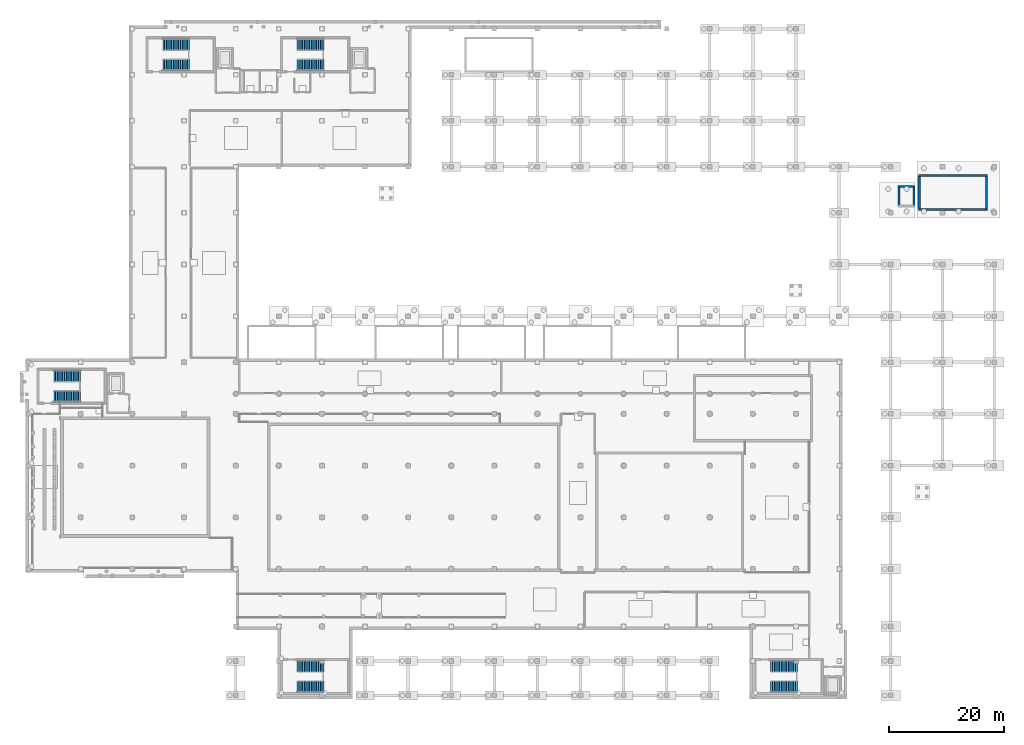
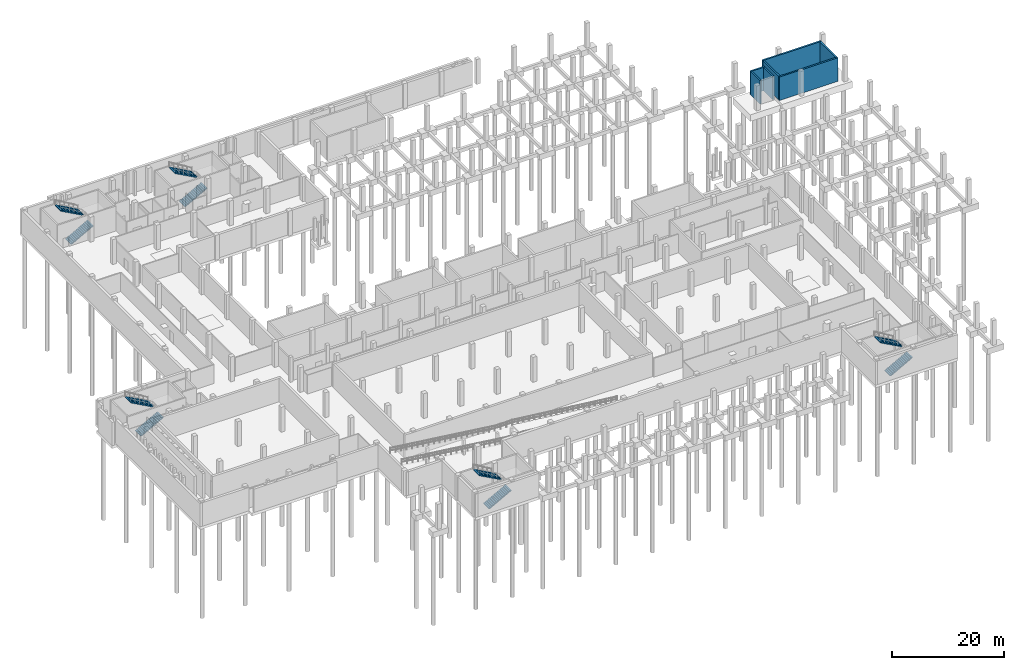
# One storey, part 16 of 19: 10 stair flights, 7 walls, 5 elements without a shape of their own.
"""IFC4 building model written with IfcOpenShell, lengths in metres."""

import ifcopenshell
import ifcopenshell.guid

model = None  # the IFC model being written
_history = None  # IfcOwnerHistory: only IFC2X3 demands one
_inside = {}  # id of a spatial element -> (the spatial element, [elements in it])
_under = {}  # id of a project, library or spatial element -> (it, [spatial elements below it])
_declared = {}  # id of a project -> (the project, [libraries it declares])
_typed = {}  # id of a type object -> (the type object, [elements of that type])
_made_of = {}  # id of a material, layer set ... -> (it, [elements and type objects made of it])


def new_model(schema):
    """Start an empty IFC model of exactly this schema.

    Asked for "IFC4X3", IfcOpenShell would pick the latest addendum, in which some entities
    have other attributes; the version numbers below select the first issue.
    IFC2X3 requires an IfcOwnerHistory on every rooted entity: one is made here for all.
    """
    global model, _history
    if schema == "IFC4X3":
        model = ifcopenshell.file(schema_version=(4, 3, 0, 0))
    else:
        model = ifcopenshell.file(schema=schema)
    _inside.clear()
    _under.clear()
    _declared.clear()
    _typed.clear()
    _made_of.clear()
    _history = None
    if model.schema == "IFC2X3":
        org = make("IfcOrganization", Name="unknown")
        user = make(
            "IfcPersonAndOrganization",
            ThePerson=make("IfcPerson", FamilyName="unknown"),
            TheOrganization=org,
        )
        app = make(
            "IfcApplication",
            ApplicationDeveloper=org,
            Version="unknown",
            ApplicationFullName="unknown",
            ApplicationIdentifier="unknown",
        )
        _history = make(
            "IfcOwnerHistory",
            OwningUser=user,
            OwningApplication=app,
            ChangeAction="ADDED",
            CreationDate=0,
        )
    return model


def make(cls, **values):
    """One entity of the class cls with the attributes given. An attribute that is None is left unset."""
    return model.create_entity(
        cls, **{name: value for name, value in values.items() if value is not None}
    )


def rooted(cls, **values):
    """An entity with a GlobalId (a new one), such as an element, a storey or a relation."""
    return make(cls, GlobalId=ifcopenshell.guid.new(), OwnerHistory=_history, **values)


def si_unit(unit_type, name, prefix=None):
    """IfcSIUnit, for example si_unit("LENGTHUNIT", "METRE", prefix="MILLI")."""
    return make("IfcSIUnit", UnitType=unit_type, Prefix=prefix, Name=name)


def assignment(units):
    """IfcUnitAssignment: the units of a project."""
    return None if units is None else make("IfcUnitAssignment", Units=units)


def point(xyz):
    """IfcCartesianPoint."""
    return None if xyz is None else make("IfcCartesianPoint", Coordinates=xyz)


def direction(xyz):
    """IfcDirection."""
    return None if xyz is None else make("IfcDirection", DirectionRatios=xyz)


def frame(location, z_axis=None, x_axis=None):
    """IfcAxis2Placement3D, a coordinate frame: its origin and axes. An axis left out is left unset."""
    return make(
        "IfcAxis2Placement3D",
        Location=point(location),
        Axis=direction(z_axis),
        RefDirection=direction(x_axis),
    )


def frame_2d(location, x_axis=None):
    """IfcAxis2Placement2D, a coordinate frame in the plane: its origin and x axis."""
    return make(
        "IfcAxis2Placement2D", Location=point(location), RefDirection=direction(x_axis)
    )


def origin():
    """The frame at (0, 0, 0) with its axes left unset."""
    return frame((0.0, 0.0, 0.0))


def place(relative_to, where):
    """IfcLocalPlacement: puts the frame where relative to a parent placement (None: the world)."""
    return make(
        "IfcLocalPlacement", PlacementRelTo=relative_to, RelativePlacement=where
    )


def context(
    kind, dimensions, precision=None, world=None, true_north=None, identifier=None
):
    """IfcGeometricRepresentationContext, for example the 3D "Model" context."""
    return make(
        "IfcGeometricRepresentationContext",
        ContextIdentifier=identifier,
        ContextType=kind,
        CoordinateSpaceDimension=dimensions,
        Precision=precision,
        WorldCoordinateSystem=world,
        TrueNorth=true_north,
    )


def subcontext(parent, identifier, kind, view, scale=None):
    """IfcGeometricRepresentationSubContext, for example "Body" below "Model"."""
    return make(
        "IfcGeometricRepresentationSubContext",
        ContextIdentifier=identifier,
        ContextType=kind,
        ParentContext=parent,
        TargetScale=scale,
        TargetView=view,
    )


def project(units=None, contexts=None):
    """IfcProject with its units and contexts."""
    return rooted(
        "IfcProject",
        Name="project",
        RepresentationContexts=contexts,
        UnitsInContext=assignment(units),
    )


def spatial(cls, under=None, at=None, **own):
    """A site, building, storey or space (cls), placed at a placement, below another one or the project."""
    s = rooted(cls, ObjectPlacement=at, **own)
    if under is not None:
        _under.setdefault(under.id(), (under, []))[1].append(s)
    return s


def polyline(points):
    """IfcPolyline through the points."""
    return make("IfcPolyline", Points=[point(p) for p in points])


def profile(cls, at=None, kind="AREA", **sizes):
    """A parametric profile (cls). Its sizes go by their IFC names, for example OverallWidth=200.0."""
    return make(cls, ProfileType=kind, Position=at, **sizes)


def rectangle(**sizes):
    """IfcRectangleProfileDef."""
    return profile("IfcRectangleProfileDef", **sizes)


def outline(outer, holes=None, kind="AREA"):
    """IfcArbitraryClosedProfileDef: a profile drawn as a closed curve; with holes, ...WithVoids."""
    if holes is None:
        return make("IfcArbitraryClosedProfileDef", ProfileType=kind, OuterCurve=outer)
    return make(
        "IfcArbitraryProfileDefWithVoids",
        ProfileType=kind,
        OuterCurve=outer,
        InnerCurves=holes,
    )


def extrude(swept, where, along, depth):
    """IfcExtrudedAreaSolid: the profile swept, set in the frame where, extruded along a direction by depth."""
    return make(
        "IfcExtrudedAreaSolid",
        SweptArea=swept,
        Position=where,
        ExtrudedDirection=direction(along),
        Depth=depth,
    )


def shape(context_of_items, identifier, shape_type, items):
    """IfcShapeRepresentation: the items that make up one representation, for example the "Body"."""
    return make(
        "IfcShapeRepresentation",
        ContextOfItems=context_of_items,
        RepresentationIdentifier=identifier,
        RepresentationType=shape_type,
        Items=items,
    )


def material(Name=None, Category=None):
    """IfcMaterial."""
    return make("IfcMaterial", Name=Name, Category=Category)


def layer(
    of_material, thickness, ventilated=None, Name=None, Category=None, Priority=None
):
    """IfcMaterialLayer: one layer of a wall or slab, of a material (None: an air gap)."""
    return make(
        "IfcMaterialLayer",
        Material=of_material,
        LayerThickness=thickness,
        IsVentilated=ventilated,
        Name=Name,
        Category=Category,
        Priority=Priority,
    )


def layer_set(layers, Name=None):
    """IfcMaterialLayerSet."""
    return make("IfcMaterialLayerSet", MaterialLayers=layers, LayerSetName=Name)


def made_of(thing, what):
    """Note that an element or type object is made of a material, layer set ...; save() writes the relation."""
    if what is not None:
        _made_of.setdefault(what.id(), (what, []))[1].append(thing)
    return thing


def type_object(cls, material=None, **own):
    """A type object (cls), such as IfcWallType, which elements share."""
    return made_of(rooted(cls, **own), material)


def element(
    cls,
    number,
    at=None,
    inside=None,
    cuts=None,
    type_object=None,
    material=None,
    context=None,
    identifier="Body",
    shape_type=None,
    held_by="IfcProductDefinitionShape",
    body=None,
    shapes=None,
    **own,
):
    """One element of the class cls, such as IfcWall. Its Tag is "e" and its number.

    at: its placement. inside: the storey or other place that contains it. cuts: it is an
    opening in that element (IfcRelVoidsElement). A single representation is given by context,
    identifier, shape_type and body (its items); several are given by shapes. held_by: the class
    of the entity that holds the representations. save() writes the other relations.
    """
    e = rooted(cls, Tag="e%d" % number, ObjectPlacement=at, **own)
    if body is not None:
        shapes = [shape(context, identifier, shape_type, body)]
    if shapes is not None:
        e.Representation = make(held_by, Representations=shapes)
    if inside is not None:
        _inside.setdefault(inside.id(), (inside, []))[1].append(e)
    if cuts is not None:
        rooted(
            "IfcRelVoidsElement", RelatingBuildingElement=cuts, RelatedOpeningElement=e
        )
    if type_object is not None:
        _typed.setdefault(type_object.id(), (type_object, []))[1].append(e)
    return made_of(e, material)


def aggregate(whole, parts):
    """IfcRelAggregates: a whole, such as a stair, and the parts it consists of."""
    return rooted("IfcRelAggregates", RelatingObject=whole, RelatedObjects=parts)


def save(model, path):
    """Write the relations noted so far, then the file.

    IfcRelAggregates (storeys below a building ...), IfcRelContainedInSpatialStructure (elements
    in a storey), IfcRelDefinesByType, IfcRelAssociatesMaterial and IfcRelDeclares: one each for
    every whole, place, type object, material and project.
    """
    for whole, parts in _under.values():
        aggregate(whole, parts)
    for where, things in _inside.values():
        rooted(
            "IfcRelContainedInSpatialStructure",
            RelatedElements=things,
            RelatingStructure=where,
        )
    for kind, things in _typed.values():
        rooted("IfcRelDefinesByType", RelatedObjects=things, RelatingType=kind)
    for what, things in _made_of.values():
        rooted("IfcRelAssociatesMaterial", RelatedObjects=things, RelatingMaterial=what)
    for by, libraries in _declared.values():
        rooted("IfcRelDeclares", RelatingContext=by, RelatedDefinitions=libraries)
    model.write(path)


model = new_model("IFC4")

# Units and contexts
model_context = context("Model", 3, precision=1e-05, world=origin(), true_north=direction((0.0, 1.0)))
body_context = subcontext(model_context, "Body", "Model", "MODEL_VIEW")
ifc_project = project(units=[si_unit("LENGTHUNIT", "METRE"), si_unit("AREAUNIT", "SQUARE_METRE"), si_unit("VOLUMEUNIT", "CUBIC_METRE"), si_unit("PLANEANGLEUNIT", "RADIAN"), si_unit("MASSUNIT", "GRAM", prefix="KILO")], contexts=[model_context])

# Site, building, storey
site_placement = place(None, origin())
site = spatial("IfcSite", under=ifc_project, at=site_placement, CompositionType="ELEMENT")
building_placement = place(site_placement, origin())
building = spatial("IfcBuilding", under=site, at=building_placement, Name="Vourika Railside Aquatics Centre", CompositionType="ELEMENT")
storey_placement = place(building_placement, frame((0.0, 0.0, -5.39990234375)))
storey = spatial("IfcBuildingStorey", under=building, at=storey_placement, Name="B1", CompositionType="ELEMENT", Elevation=-5.39990234375)

# Walls
ifc_material_1 = material(Name="Concrete C40/50", Category="concrete")
ifc_layer = layer(ifc_material_1, 0.35009765625, Name="WL-TANK-350")
ifc_layer_set = layer_set([ifc_layer], Name="Concrete C40/50")
wall_type = type_object("IfcWallType", Name="WL-TANK-350", PredefinedType="SOLIDWALL", material=ifc_layer_set)
for number, where, z_axis, x_axis, name in (
    (1, (154.800048828125, 84.550048828125, 0.0), (0.0, 0.0, 1.0), (1.0, 0.0, 0.0), "Substructure Core Foundation Wall ST05-S"),
    (2, (166.800048828125, 90.449951171875, 0.0), (0.0, 0.0, 1.0), (-1.0, 0.0, 0.0), "Substructure Core Foundation Wall ST05-N"),
):
    element("IfcWall", number, at=place(storey_placement, frame(where, z_axis=z_axis, x_axis=x_axis)), inside=storey, type_object=wall_type, Name=name, PredefinedType="SOLIDWALL", context=body_context, shape_type="SweptSolid", body=[
        extrude(rectangle(XDim=12.0, YDim=0.35009765625, at=frame_2d((6.0, 0.0))), origin(), (0.0, 0.0, 1.0), 5.099853515625),
    ])
for number, where, z_axis, x_axis, name in (
    (3, (154.949951171875, 90.300048828125, 0.0), (0.0, 0.0, 1.0), (0.0, -1.0, 0.0), "Substructure Core Foundation Wall ST05-W"),
    (4, (166.64990234375, 84.699951171875, 0.0), (0.0, 0.0, 1.0), (0.0, 1.0, 0.0), "Substructure Core Foundation Wall ST05-E"),
):
    element("IfcWall", number, at=place(storey_placement, frame(where, z_axis=z_axis, x_axis=x_axis)), inside=storey, type_object=wall_type, Name=name, PredefinedType="SOLIDWALL", context=body_context, shape_type="SweptSolid", body=[
        extrude(rectangle(XDim=5.60009765625, YDim=0.35009765625, at=frame_2d((2.800048828125, 0.0))), origin(), (0.0, 0.0, 1.0), 5.099853515625),
    ])
wall_placement = place(storey_placement, frame((154.14990234375, 88.60009765625, 0.0), z_axis=(0.0, 0.0, 1.0), x_axis=(-1.0, 0.0, 0.0)))
element("IfcWall", 5, at=wall_placement, inside=storey, type_object=wall_type, Name="Substructure Shaft Foundation Wall LP01-N", PredefinedType="SOLIDWALL", context=body_context, shape_type="SweptSolid", body=[
    extrude(rectangle(XDim=2.89990234375, YDim=0.35009765625, at=frame_2d((1.449951171875, 0.0))), origin(), (0.0, 0.0, 1.0), 5.099853515625),
])
for number, where, z_axis, x_axis, name in (
    (6, (151.39990234375, 88.60009765625, 0.0), (0.0, 0.0, 1.0), (0.0, -1.0, 0.0), "Substructure Shaft Foundation Wall LP01-W"),
    (7, (154.0, 85.199951171875, 0.0), (0.0, 0.0, 1.0), (0.0, 1.0, 0.0), "Substructure Shaft Foundation Wall LP01-E"),
):
    element("IfcWall", number, at=place(storey_placement, frame(where, z_axis=z_axis, x_axis=x_axis)), inside=storey, type_object=wall_type, Name=name, PredefinedType="SOLIDWALL", context=body_context, shape_type="SweptSolid", body=[
        extrude(rectangle(XDim=3.400146484375, YDim=0.35009765625, at=frame_2d((1.7001953125, 0.0))), origin(), (0.0, 0.0, 1.0), 5.099853515625),
    ])

# Stair, stair flights
ifc_material_2 = material(Name="Concrete C35/45", Category="concrete")
stair_type = type_object("IfcStairType", Name="STR-CORE-B1", PredefinedType="TWO_STRAIGHT_RUN_STAIR", material=ifc_material_2)
stair_1_placement = place(storey_placement, origin())
stair_1 = element("IfcStair", 8, at=stair_1_placement, inside=storey, type_object=stair_type, Name="Protected Exit Stair Core ST01 (B1)", PredefinedType="TWO_STRAIGHT_RUN_STAIR")
stair_flight_type = type_object("IfcStairFlightType", Name="STF-CORE-B1", PredefinedType="STRAIGHT", material=ifc_material_2)
stair_flight_1_placement = place(storey_placement, frame((23.300048828125, 109.719970703125, 0.0), z_axis=(0.0, 0.0, 1.0), x_axis=(1.0, 0.0, 0.0)))
stair_flight_1 = element("IfcStairFlight", 9, at=stair_flight_1_placement, type_object=stair_flight_type, Name="STC-B1 flight 1", NumberOfRisers=16, NumberOfTreads=15, PredefinedType="STRAIGHT", RiserHeight=0.16875, TreadLength=0.308, context=body_context, shape_type="SweptSolid", body=[
    extrude(outline(polyline([(0.0, 0.0), (0.0, 0.168701171875), (0.30810546875, 0.168701171875), (0.30810546875, 0.33740234375), (0.615966796875, 0.33740234375), (0.615966796875, 0.50634765625), (0.924072265625, 0.50634765625), (0.924072265625, 0.675048828125), (1.23193359375, 0.675048828125), (1.23193359375, 0.84375), (1.5400390625, 0.84375), (1.5400390625, 1.012451171875), (1.847900390625, 1.012451171875), (1.847900390625, 1.18115234375), (2.156005859375, 1.18115234375), (2.156005859375, 1.35009765625), (2.464111328125, 1.35009765625), (2.464111328125, 1.518798828125), (2.77197265625, 1.518798828125), (2.77197265625, 1.6875), (3.080078125, 1.6875), (3.080078125, 1.856201171875), (3.387939453125, 1.856201171875), (3.387939453125, 2.02490234375), (3.696044921875, 2.02490234375), (3.696044921875, 2.19384765625), (4.00390625, 2.19384765625), (4.00390625, 2.362548828125), (4.31201171875, 2.362548828125), (4.31201171875, 2.53125), (4.6201171875, 2.53125), (4.6201171875, 2.699951171875), (4.6201171875, 2.348876953125), (0.332763671875, 0.0), (0.0, 0.0)])), frame((0.0, 1.0, 0.0), z_axis=(0.0, -1.0, 0.0), x_axis=(1.0, 0.0, 0.0)), (0.0, 0.0, 1.0), 2.0),
])
stair_flight_2_placement = place(storey_placement, frame((27.919921875, 113.280029296875, 2.699951171875), z_axis=(0.0, 0.0, 1.0), x_axis=(-1.0, 0.0, 0.0)))
stair_flight_2 = element("IfcStairFlight", 10, at=stair_flight_2_placement, type_object=stair_flight_type, Name="STC-B1 flight 2", NumberOfRisers=16, NumberOfTreads=15, PredefinedType="STRAIGHT", RiserHeight=0.16875, TreadLength=0.308, context=body_context, shape_type="SweptSolid", body=[
    extrude(outline(polyline([(0.0, 0.0), (0.0, 0.168701171875), (0.30810546875, 0.168701171875), (0.30810546875, 0.33740234375), (0.615966796875, 0.33740234375), (0.615966796875, 0.50634765625), (0.924072265625, 0.50634765625), (0.924072265625, 0.675048828125), (1.23193359375, 0.675048828125), (1.23193359375, 0.84375), (1.5400390625, 0.84375), (1.5400390625, 1.012451171875), (1.847900390625, 1.012451171875), (1.847900390625, 1.18115234375), (2.156005859375, 1.18115234375), (2.156005859375, 1.35009765625), (2.464111328125, 1.35009765625), (2.464111328125, 1.518798828125), (2.77197265625, 1.518798828125), (2.77197265625, 1.6875), (3.080078125, 1.6875), (3.080078125, 1.856201171875), (3.387939453125, 1.856201171875), (3.387939453125, 2.02490234375), (3.696044921875, 2.02490234375), (3.696044921875, 2.19384765625), (4.00390625, 2.19384765625), (4.00390625, 2.362548828125), (4.31201171875, 2.362548828125), (4.31201171875, 2.53125), (4.6201171875, 2.53125), (4.6201171875, 2.699951171875), (4.6201171875, 2.348876953125), (0.332763671875, 0.0), (0.0, 0.0)])), frame((0.0, 1.0, 0.0), z_axis=(0.0, -1.0, 0.0), x_axis=(1.0, 0.0, 0.0)), (0.0, 0.0, 1.0), 2.0),
])
aggregate(stair_1, [stair_flight_1, stair_flight_2])

stair_2_placement = place(storey_placement, origin())
stair_2 = element("IfcStair", 11, at=stair_2_placement, inside=storey, type_object=stair_type, Name="Protected Exit Stair Core ST02 (B1)", PredefinedType="TWO_STRAIGHT_RUN_STAIR")
stair_flight_3_placement = place(storey_placement, frame((46.699951171875, 109.719970703125, 0.0), z_axis=(0.0, 0.0, 1.0), x_axis=(1.0, 0.0, 0.0)))
stair_flight_3 = element("IfcStairFlight", 12, at=stair_flight_3_placement, type_object=stair_flight_type, Name="STC-B1 flight 1", NumberOfRisers=16, NumberOfTreads=15, PredefinedType="STRAIGHT", RiserHeight=0.16875, TreadLength=0.308, context=body_context, shape_type="SweptSolid", body=[
    extrude(outline(polyline([(0.0, 0.0), (0.0, 0.168701171875), (0.30810546875, 0.168701171875), (0.30810546875, 0.33740234375), (0.615966796875, 0.33740234375), (0.615966796875, 0.50634765625), (0.924072265625, 0.50634765625), (0.924072265625, 0.675048828125), (1.23193359375, 0.675048828125), (1.23193359375, 0.84375), (1.5400390625, 0.84375), (1.5400390625, 1.012451171875), (1.847900390625, 1.012451171875), (1.847900390625, 1.18115234375), (2.156005859375, 1.18115234375), (2.156005859375, 1.35009765625), (2.464111328125, 1.35009765625), (2.464111328125, 1.518798828125), (2.77197265625, 1.518798828125), (2.77197265625, 1.6875), (3.080078125, 1.6875), (3.080078125, 1.856201171875), (3.387939453125, 1.856201171875), (3.387939453125, 2.02490234375), (3.696044921875, 2.02490234375), (3.696044921875, 2.19384765625), (4.00390625, 2.19384765625), (4.00390625, 2.362548828125), (4.31201171875, 2.362548828125), (4.31201171875, 2.53125), (4.6201171875, 2.53125), (4.6201171875, 2.699951171875), (4.6201171875, 2.348876953125), (0.332763671875, 0.0), (0.0, 0.0)])), frame((0.0, 1.0, 0.0), z_axis=(0.0, -1.0, 0.0), x_axis=(1.0, 0.0, 0.0)), (0.0, 0.0, 1.0), 2.0),
])
stair_flight_4_placement = place(storey_placement, frame((51.320068359375, 113.280029296875, 2.699951171875), z_axis=(0.0, 0.0, 1.0), x_axis=(-1.0, 0.0, 0.0)))
stair_flight_4 = element("IfcStairFlight", 13, at=stair_flight_4_placement, type_object=stair_flight_type, Name="STC-B1 flight 2", NumberOfRisers=16, NumberOfTreads=15, PredefinedType="STRAIGHT", RiserHeight=0.16875, TreadLength=0.308, context=body_context, shape_type="SweptSolid", body=[
    extrude(outline(polyline([(0.0, 0.0), (0.0, 0.168701171875), (0.30810546875, 0.168701171875), (0.30810546875, 0.33740234375), (0.615966796875, 0.33740234375), (0.615966796875, 0.50634765625), (0.924072265625, 0.50634765625), (0.924072265625, 0.675048828125), (1.23193359375, 0.675048828125), (1.23193359375, 0.84375), (1.5400390625, 0.84375), (1.5400390625, 1.012451171875), (1.847900390625, 1.012451171875), (1.847900390625, 1.18115234375), (2.156005859375, 1.18115234375), (2.156005859375, 1.35009765625), (2.464111328125, 1.35009765625), (2.464111328125, 1.518798828125), (2.77197265625, 1.518798828125), (2.77197265625, 1.6875), (3.080078125, 1.6875), (3.080078125, 1.856201171875), (3.387939453125, 1.856201171875), (3.387939453125, 2.02490234375), (3.696044921875, 2.02490234375), (3.696044921875, 2.19384765625), (4.00390625, 2.19384765625), (4.00390625, 2.362548828125), (4.31201171875, 2.362548828125), (4.31201171875, 2.53125), (4.6201171875, 2.53125), (4.6201171875, 2.699951171875), (4.6201171875, 2.348876953125), (0.332763671875, 0.0), (0.0, 0.0)])), frame((0.0, 1.0, 0.0), z_axis=(0.0, -1.0, 0.0), x_axis=(1.0, 0.0, 0.0)), (0.0, 0.0, 1.0), 2.0),
])
aggregate(stair_2, [stair_flight_3, stair_flight_4])

stair_3_placement = place(storey_placement, origin())
stair_3 = element("IfcStair", 14, at=stair_3_placement, inside=storey, type_object=stair_type, Name="Protected Exit Stair Core ST04 (B1)", PredefinedType="TWO_STRAIGHT_RUN_STAIR")
stair_flight_5_placement = place(storey_placement, frame((4.35009765625, 52.02001953125, 0.0), z_axis=(0.0, 0.0, 1.0), x_axis=(1.0, 0.0, 0.0)))
stair_flight_5 = element("IfcStairFlight", 15, at=stair_flight_5_placement, type_object=stair_flight_type, Name="STC-B1 flight 1", NumberOfRisers=16, NumberOfTreads=15, PredefinedType="STRAIGHT", RiserHeight=0.16875, TreadLength=0.308, context=body_context, shape_type="SweptSolid", body=[
    extrude(outline(polyline([(0.0, 0.0), (0.0, 0.168701171875), (0.30810546875, 0.168701171875), (0.30810546875, 0.33740234375), (0.615966796875, 0.33740234375), (0.615966796875, 0.50634765625), (0.924072265625, 0.50634765625), (0.924072265625, 0.675048828125), (1.23193359375, 0.675048828125), (1.23193359375, 0.84375), (1.5400390625, 0.84375), (1.5400390625, 1.012451171875), (1.847900390625, 1.012451171875), (1.847900390625, 1.18115234375), (2.156005859375, 1.18115234375), (2.156005859375, 1.35009765625), (2.464111328125, 1.35009765625), (2.464111328125, 1.518798828125), (2.77197265625, 1.518798828125), (2.77197265625, 1.6875), (3.080078125, 1.6875), (3.080078125, 1.856201171875), (3.387939453125, 1.856201171875), (3.387939453125, 2.02490234375), (3.696044921875, 2.02490234375), (3.696044921875, 2.19384765625), (4.00390625, 2.19384765625), (4.00390625, 2.362548828125), (4.31201171875, 2.362548828125), (4.31201171875, 2.53125), (4.6201171875, 2.53125), (4.6201171875, 2.699951171875), (4.6201171875, 2.348876953125), (0.332763671875, 0.0), (0.0, 0.0)])), frame((0.0, 1.0, 0.0), z_axis=(0.0, -1.0, 0.0), x_axis=(1.0, 0.0, 0.0)), (0.0, 0.0, 1.0), 2.0),
])
stair_flight_6_placement = place(storey_placement, frame((8.969970703125, 55.580078125, 2.699951171875), z_axis=(0.0, 0.0, 1.0), x_axis=(-1.0, 0.0, 0.0)))
stair_flight_6 = element("IfcStairFlight", 16, at=stair_flight_6_placement, type_object=stair_flight_type, Name="STC-B1 flight 2", NumberOfRisers=16, NumberOfTreads=15, PredefinedType="STRAIGHT", RiserHeight=0.16875, TreadLength=0.308, context=body_context, shape_type="SweptSolid", body=[
    extrude(outline(polyline([(0.0, 0.0), (0.0, 0.168701171875), (0.30810546875, 0.168701171875), (0.30810546875, 0.33740234375), (0.615966796875, 0.33740234375), (0.615966796875, 0.50634765625), (0.924072265625, 0.50634765625), (0.924072265625, 0.675048828125), (1.23193359375, 0.675048828125), (1.23193359375, 0.84375), (1.5400390625, 0.84375), (1.5400390625, 1.012451171875), (1.847900390625, 1.012451171875), (1.847900390625, 1.18115234375), (2.156005859375, 1.18115234375), (2.156005859375, 1.35009765625), (2.464111328125, 1.35009765625), (2.464111328125, 1.518798828125), (2.77197265625, 1.518798828125), (2.77197265625, 1.6875), (3.080078125, 1.6875), (3.080078125, 1.856201171875), (3.387939453125, 1.856201171875), (3.387939453125, 2.02490234375), (3.696044921875, 2.02490234375), (3.696044921875, 2.19384765625), (4.00390625, 2.19384765625), (4.00390625, 2.362548828125), (4.31201171875, 2.362548828125), (4.31201171875, 2.53125), (4.6201171875, 2.53125), (4.6201171875, 2.699951171875), (4.6201171875, 2.348876953125), (0.332763671875, 0.0), (0.0, 0.0)])), frame((0.0, 1.0, 0.0), z_axis=(0.0, -1.0, 0.0), x_axis=(1.0, 0.0, 0.0)), (0.0, 0.0, 1.0), 2.0),
])
aggregate(stair_3, [stair_flight_5, stair_flight_6])

stair_4_placement = place(storey_placement, origin())
stair_4 = element("IfcStair", 17, at=stair_4_placement, inside=storey, type_object=stair_type, Name="Protected Exit Stair Core ST06 (B1)", PredefinedType="TWO_STRAIGHT_RUN_STAIR")
stair_flight_7_placement = place(storey_placement, frame((129.10009765625, 1.52001953125, 0.0), z_axis=(0.0, 0.0, 1.0), x_axis=(1.0, 0.0, 0.0)))
stair_flight_7 = element("IfcStairFlight", 18, at=stair_flight_7_placement, type_object=stair_flight_type, Name="STC-B1 flight 1", NumberOfRisers=16, NumberOfTreads=15, PredefinedType="STRAIGHT", RiserHeight=0.16875, TreadLength=0.308, context=body_context, shape_type="SweptSolid", body=[
    extrude(outline(polyline([(0.0, 0.0), (0.0, 0.168701171875), (0.30810546875, 0.168701171875), (0.30810546875, 0.33740234375), (0.615966796875, 0.33740234375), (0.615966796875, 0.50634765625), (0.924072265625, 0.50634765625), (0.924072265625, 0.675048828125), (1.23193359375, 0.675048828125), (1.23193359375, 0.84375), (1.5400390625, 0.84375), (1.5400390625, 1.012451171875), (1.847900390625, 1.012451171875), (1.847900390625, 1.18115234375), (2.156005859375, 1.18115234375), (2.156005859375, 1.35009765625), (2.464111328125, 1.35009765625), (2.464111328125, 1.518798828125), (2.77197265625, 1.518798828125), (2.77197265625, 1.6875), (3.080078125, 1.6875), (3.080078125, 1.856201171875), (3.387939453125, 1.856201171875), (3.387939453125, 2.02490234375), (3.696044921875, 2.02490234375), (3.696044921875, 2.19384765625), (4.00390625, 2.19384765625), (4.00390625, 2.362548828125), (4.31201171875, 2.362548828125), (4.31201171875, 2.53125), (4.6201171875, 2.53125), (4.6201171875, 2.699951171875), (4.6201171875, 2.348876953125), (0.332763671875, 0.0), (0.0, 0.0)])), frame((0.0, 1.0, 0.0), z_axis=(0.0, -1.0, 0.0), x_axis=(1.0, 0.0, 0.0)), (0.0, 0.0, 1.0), 2.0),
])
stair_flight_8_placement = place(storey_placement, frame((133.719970703125, 5.080078125, 2.699951171875), z_axis=(0.0, 0.0, 1.0), x_axis=(-1.0, 0.0, 0.0)))
stair_flight_8 = element("IfcStairFlight", 19, at=stair_flight_8_placement, type_object=stair_flight_type, Name="STC-B1 flight 2", NumberOfRisers=16, NumberOfTreads=15, PredefinedType="STRAIGHT", RiserHeight=0.16875, TreadLength=0.308, context=body_context, shape_type="SweptSolid", body=[
    extrude(outline(polyline([(0.0, 0.0), (0.0, 0.168701171875), (0.30810546875, 0.168701171875), (0.30810546875, 0.33740234375), (0.615966796875, 0.33740234375), (0.615966796875, 0.50634765625), (0.924072265625, 0.50634765625), (0.924072265625, 0.675048828125), (1.23193359375, 0.675048828125), (1.23193359375, 0.84375), (1.5400390625, 0.84375), (1.5400390625, 1.012451171875), (1.847900390625, 1.012451171875), (1.847900390625, 1.18115234375), (2.156005859375, 1.18115234375), (2.156005859375, 1.35009765625), (2.464111328125, 1.35009765625), (2.464111328125, 1.518798828125), (2.77197265625, 1.518798828125), (2.77197265625, 1.6875), (3.080078125, 1.6875), (3.080078125, 1.856201171875), (3.387939453125, 1.856201171875), (3.387939453125, 2.02490234375), (3.696044921875, 2.02490234375), (3.696044921875, 2.19384765625), (4.00390625, 2.19384765625), (4.00390625, 2.362548828125), (4.31201171875, 2.362548828125), (4.31201171875, 2.53125), (4.6201171875, 2.53125), (4.6201171875, 2.699951171875), (4.6201171875, 2.348876953125), (0.332763671875, 0.0), (0.0, 0.0)])), frame((0.0, 1.0, 0.0), z_axis=(0.0, -1.0, 0.0), x_axis=(1.0, 0.0, 0.0)), (0.0, 0.0, 1.0), 2.0),
])
aggregate(stair_4, [stair_flight_7, stair_flight_8])

stair_5_placement = place(storey_placement, origin())
stair_5 = element("IfcStair", 20, at=stair_5_placement, inside=storey, type_object=stair_type, Name="Protected Exit Stair Core ST11 (B1)", PredefinedType="TWO_STRAIGHT_RUN_STAIR")
stair_flight_9_placement = place(storey_placement, frame((46.699951171875, 1.52001953125, 0.0), z_axis=(0.0, 0.0, 1.0), x_axis=(1.0, 0.0, 0.0)))
stair_flight_9 = element("IfcStairFlight", 21, at=stair_flight_9_placement, type_object=stair_flight_type, Name="STC-B1 flight 1", NumberOfRisers=16, NumberOfTreads=15, PredefinedType="STRAIGHT", RiserHeight=0.16875, TreadLength=0.308, context=body_context, shape_type="SweptSolid", body=[
    extrude(outline(polyline([(0.0, 0.0), (0.0, 0.168701171875), (0.30810546875, 0.168701171875), (0.30810546875, 0.33740234375), (0.615966796875, 0.33740234375), (0.615966796875, 0.50634765625), (0.924072265625, 0.50634765625), (0.924072265625, 0.675048828125), (1.23193359375, 0.675048828125), (1.23193359375, 0.84375), (1.5400390625, 0.84375), (1.5400390625, 1.012451171875), (1.847900390625, 1.012451171875), (1.847900390625, 1.18115234375), (2.156005859375, 1.18115234375), (2.156005859375, 1.35009765625), (2.464111328125, 1.35009765625), (2.464111328125, 1.518798828125), (2.77197265625, 1.518798828125), (2.77197265625, 1.6875), (3.080078125, 1.6875), (3.080078125, 1.856201171875), (3.387939453125, 1.856201171875), (3.387939453125, 2.02490234375), (3.696044921875, 2.02490234375), (3.696044921875, 2.19384765625), (4.00390625, 2.19384765625), (4.00390625, 2.362548828125), (4.31201171875, 2.362548828125), (4.31201171875, 2.53125), (4.6201171875, 2.53125), (4.6201171875, 2.699951171875), (4.6201171875, 2.348876953125), (0.332763671875, 0.0), (0.0, 0.0)])), frame((0.0, 1.0, 0.0), z_axis=(0.0, -1.0, 0.0), x_axis=(1.0, 0.0, 0.0)), (0.0, 0.0, 1.0), 2.0),
])
stair_flight_10_placement = place(storey_placement, frame((51.320068359375, 5.080078125, 2.699951171875), z_axis=(0.0, 0.0, 1.0), x_axis=(-1.0, 0.0, 0.0)))
stair_flight_10 = element("IfcStairFlight", 22, at=stair_flight_10_placement, type_object=stair_flight_type, Name="STC-B1 flight 2", NumberOfRisers=16, NumberOfTreads=15, PredefinedType="STRAIGHT", RiserHeight=0.16875, TreadLength=0.308, context=body_context, shape_type="SweptSolid", body=[
    extrude(outline(polyline([(0.0, 0.0), (0.0, 0.168701171875), (0.30810546875, 0.168701171875), (0.30810546875, 0.33740234375), (0.615966796875, 0.33740234375), (0.615966796875, 0.50634765625), (0.924072265625, 0.50634765625), (0.924072265625, 0.675048828125), (1.23193359375, 0.675048828125), (1.23193359375, 0.84375), (1.5400390625, 0.84375), (1.5400390625, 1.012451171875), (1.847900390625, 1.012451171875), (1.847900390625, 1.18115234375), (2.156005859375, 1.18115234375), (2.156005859375, 1.35009765625), (2.464111328125, 1.35009765625), (2.464111328125, 1.518798828125), (2.77197265625, 1.518798828125), (2.77197265625, 1.6875), (3.080078125, 1.6875), (3.080078125, 1.856201171875), (3.387939453125, 1.856201171875), (3.387939453125, 2.02490234375), (3.696044921875, 2.02490234375), (3.696044921875, 2.19384765625), (4.00390625, 2.19384765625), (4.00390625, 2.362548828125), (4.31201171875, 2.362548828125), (4.31201171875, 2.53125), (4.6201171875, 2.53125), (4.6201171875, 2.699951171875), (4.6201171875, 2.348876953125), (0.332763671875, 0.0), (0.0, 0.0)])), frame((0.0, 1.0, 0.0), z_axis=(0.0, -1.0, 0.0), x_axis=(1.0, 0.0, 0.0)), (0.0, 0.0, 1.0), 2.0),
])
aggregate(stair_5, [stair_flight_9, stair_flight_10])

save(model, "model.ifc")
